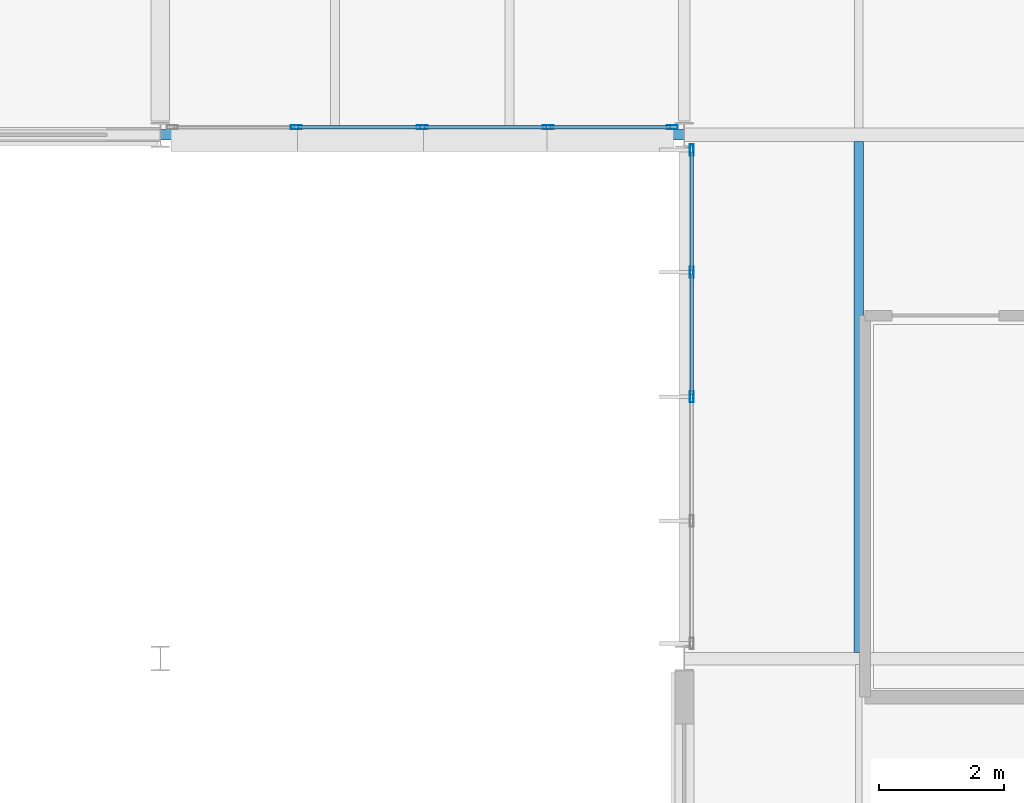
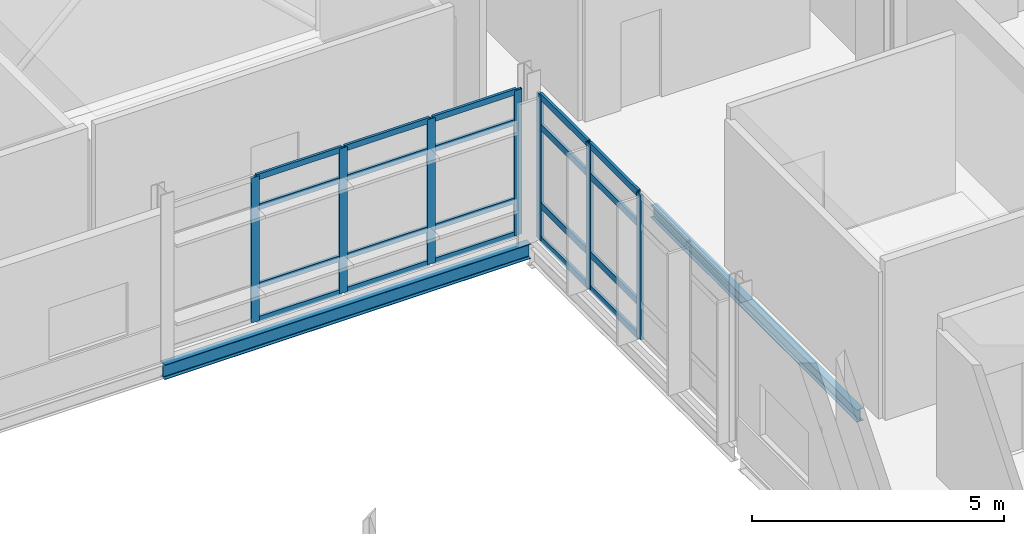
# One storey, part 40 of 66: 27 members, 2 beams, 2 elements without a shape of their own.
"""IFC4 building model written with IfcOpenShell, lengths in metres."""

from ifc_helpers import new_model, si_unit, direction, frame, origin, origin_2d, place, context, subcontext, project, spatial, hollow_rectangle, i_section, extrude, material, material_profile, profile_set, type_object, element, aggregate, save


model = new_model("IFC4")

# Units and contexts
model_context = context("Model", 3, precision=1e-05, world=origin(), true_north=direction((0.0, 1.0)))
body_context = subcontext(model_context, "Body", "Model", "MODEL_VIEW")
ifc_project = project(units=[si_unit("LENGTHUNIT", "METRE"), si_unit("AREAUNIT", "SQUARE_METRE"), si_unit("VOLUMEUNIT", "CUBIC_METRE"), si_unit("PLANEANGLEUNIT", "RADIAN"), si_unit("MASSUNIT", "GRAM", prefix="KILO")], contexts=[model_context])

# Site, building, storey
site_placement = place(None, origin())
site = spatial("IfcSite", under=ifc_project, at=site_placement, CompositionType="ELEMENT")
building_placement = place(site_placement, origin())
building = spatial("IfcBuilding", under=site, at=building_placement, Name="Mersafa Astral City Hall", CompositionType="ELEMENT")
storey_placement = place(building_placement, frame((0.0, 0.0, 22.050048828125)))
storey = spatial("IfcBuildingStorey", under=building, at=storey_placement, Name="L05", CompositionType="ELEMENT", Elevation=22.050048828125)

# Curtain wall, members
ifc_material_1 = material(Name="Anodised bronze aluminium framing", Category="aluminium")
curtain_wall_type_1 = type_object("IfcCurtainWallType", Name="ENV-CW-2", PredefinedType="USERDEFINED", material=ifc_material_1)
curtain_wall_1_placement = place(storey_placement, origin())
curtain_wall_1 = element("IfcCurtainWall", 1, at=curtain_wall_1_placement, inside=storey, type_object=curtain_wall_type_1, Name="L05 Unitised solar curtain wall 241", ObjectType="UNITISED CURTAIN WALL", PredefinedType="USERDEFINED")
ifc_material_profile_1 = material_profile(ifc_material_1, hollow_rectangle(XDim=0.06005859375, YDim=0.179931640625, WallThickness=0.00390625, at=origin_2d()), Name="RHS 60x180x4")
ifc_profile_set_1 = profile_set([ifc_material_profile_1], Name="Anodised bronze aluminium framing")
member_type_1 = type_object("IfcMemberType", Name="ENV-CW-MUL-1", PredefinedType="MULLION", material=ifc_profile_set_1)
member_1_placement = place(storey_placement, frame((136.5810546875, 117.719970703125, -0.001953125), z_axis=(0.0, 0.0, 1.0), x_axis=(0.0, 1.0, 0.0)))
member_1 = element("IfcMember", 2, at=member_1_placement, type_object=member_type_1, Name="CW-2 mullion 2", PredefinedType="MULLION", context=body_context, shape_type="SweptSolid", body=[
    extrude(hollow_rectangle(XDim=0.06005859375, YDim=0.179931640625, WallThickness=0.00390625, at=origin_2d()), origin(), (0.0, 0.0, 1.0), 3.513916015625),
])
member_2_placement = place(storey_placement, frame((138.60009765625, 117.719970703125, -0.001953125), z_axis=(0.0, 0.0, 1.0), x_axis=(0.0, 1.0, 0.0)))
member_2 = element("IfcMember", 3, at=member_2_placement, type_object=member_type_1, Name="CW-2 mullion 3", PredefinedType="MULLION", context=body_context, shape_type="SweptSolid", body=[
    extrude(hollow_rectangle(XDim=0.06005859375, YDim=0.179931640625, WallThickness=0.00390625, at=origin_2d()), origin(), (0.0, 0.0, 1.0), 3.513916015625),
])
member_3_placement = place(storey_placement, frame((140.618896484375, 117.719970703125, -0.001953125), z_axis=(0.0, 0.0, 1.0), x_axis=(0.0, 1.0, 0.0)))
member_3 = element("IfcMember", 4, at=member_3_placement, type_object=member_type_1, Name="CW-2 mullion 4", PredefinedType="MULLION", context=body_context, shape_type="SweptSolid", body=[
    extrude(hollow_rectangle(XDim=0.06005859375, YDim=0.179931640625, WallThickness=0.00390625, at=origin_2d()), origin(), (0.0, 0.0, 1.0), 3.513916015625),
])
member_4_placement = place(storey_placement, frame((142.60791015625, 117.719970703125, -0.001953125), z_axis=(0.0, 0.0, 1.0), x_axis=(0.0, 1.0, 0.0)))
member_4 = element("IfcMember", 5, at=member_4_placement, type_object=member_type_1, Name="CW-2 mullion 5", PredefinedType="MULLION", context=body_context, shape_type="SweptSolid", body=[
    extrude(hollow_rectangle(XDim=0.06005859375, YDim=0.179931640625, WallThickness=0.00390625, at=origin_2d()), origin(), (0.0, 0.0, 1.0), 3.513916015625),
])

curtain_wall_type_2 = type_object("IfcCurtainWallType", Name="ENV-CW-3", PredefinedType="USERDEFINED", material=ifc_material_1)
curtain_wall_2_placement = place(storey_placement, origin())
curtain_wall_2 = element("IfcCurtainWall", 6, at=curtain_wall_2_placement, inside=storey, type_object=curtain_wall_type_2, Name="L05 Unitised solar curtain wall 242", ObjectType="UNITISED CURTAIN WALL", PredefinedType="USERDEFINED")
member_5_placement = place(storey_placement, frame((142.919921875, 117.35791015625, -0.001953125), z_axis=(0.0, 0.0, 1.0), x_axis=(1.0, 0.0, 0.0)))
member_5 = element("IfcMember", 7, at=member_5_placement, type_object=member_type_1, Name="CW-3 mullion 1", PredefinedType="MULLION", context=body_context, shape_type="SweptSolid", body=[
    extrude(hollow_rectangle(XDim=0.06005859375, YDim=0.179931640625, WallThickness=0.00390625, at=origin_2d()), origin(), (0.0, 0.0, 1.0), 3.513916015625),
])
member_6_placement = place(storey_placement, frame((142.919921875, 115.39404296875, -0.001953125), z_axis=(0.0, 0.0, 1.0), x_axis=(1.0, 0.0, 0.0)))
member_6 = element("IfcMember", 8, at=member_6_placement, type_object=member_type_1, Name="CW-3 mullion 2", PredefinedType="MULLION", context=body_context, shape_type="SweptSolid", body=[
    extrude(hollow_rectangle(XDim=0.06005859375, YDim=0.179931640625, WallThickness=0.00390625, at=origin_2d()), origin(), (0.0, 0.0, 1.0), 3.513916015625),
])
member_7_placement = place(storey_placement, frame((142.919921875, 113.39990234375, -0.001953125), z_axis=(0.0, 0.0, 1.0), x_axis=(1.0, 0.0, 0.0)))
member_7 = element("IfcMember", 9, at=member_7_placement, type_object=member_type_1, Name="CW-3 mullion 3", PredefinedType="MULLION", context=body_context, shape_type="SweptSolid", body=[
    extrude(hollow_rectangle(XDim=0.06005859375, YDim=0.179931640625, WallThickness=0.00390625, at=origin_2d()), origin(), (0.0, 0.0, 1.0), 3.513916015625),
])

# Member
ifc_material_profile_2 = material_profile(ifc_material_1, hollow_rectangle(XDim=0.06005859375, YDim=0.139892578125, WallThickness=0.00390625, at=origin_2d()), Name="RHS 60x140x4")
ifc_profile_set_2 = profile_set([ifc_material_profile_2], Name="Anodised bronze aluminium framing")
member_type_2 = type_object("IfcMemberType", Name="ENV-CW-TRN-1", PredefinedType="USERDEFINED", material=ifc_profile_set_2)
member_8_placement = place(storey_placement, frame((136.611083984375, 117.719970703125, 0.02783203125), z_axis=(1.0, 0.0, 0.0), x_axis=(0.0, 1.0, 0.0)))
member_8 = element("IfcMember", 10, at=member_8_placement, type_object=member_type_2, Name="CW-2 transom 2.1", ObjectType="TRANSOM", PredefinedType="USERDEFINED", context=body_context, shape_type="SweptSolid", body=[
    extrude(hollow_rectangle(XDim=0.06005859375, YDim=0.139892578125, WallThickness=0.00390625, at=origin_2d()), origin(), (0.0, 0.0, 1.0), 1.958984375),
])

member_9_placement = place(storey_placement, frame((136.611083984375, 117.719970703125, 0.849853515625), z_axis=(1.0, 0.0, 0.0), x_axis=(0.0, 1.0, 0.0)))
member_9 = element("IfcMember", 11, at=member_9_placement, type_object=member_type_2, Name="CW-2 transom 2.2", ObjectType="TRANSOM", PredefinedType="USERDEFINED", context=body_context, shape_type="SweptSolid", body=[
    extrude(hollow_rectangle(XDim=0.06005859375, YDim=0.139892578125, WallThickness=0.00390625, at=origin_2d()), origin(), (0.0, 0.0, 1.0), 1.958984375),
])

member_10_placement = place(storey_placement, frame((136.611083984375, 117.719970703125, 2.75), z_axis=(1.0, 0.0, 0.0), x_axis=(0.0, 1.0, 0.0)))
member_10 = element("IfcMember", 12, at=member_10_placement, type_object=member_type_2, Name="CW-2 transom 2.3", ObjectType="TRANSOM", PredefinedType="USERDEFINED", context=body_context, shape_type="SweptSolid", body=[
    extrude(hollow_rectangle(XDim=0.06005859375, YDim=0.139892578125, WallThickness=0.00390625, at=origin_2d()), origin(), (0.0, 0.0, 1.0), 1.958984375),
])

member_11_placement = place(storey_placement, frame((136.611083984375, 117.719970703125, 3.48193359375), z_axis=(1.0, 0.0, 0.0), x_axis=(0.0, 1.0, 0.0)))
member_11 = element("IfcMember", 13, at=member_11_placement, type_object=member_type_2, Name="CW-2 transom 2.4", ObjectType="TRANSOM", PredefinedType="USERDEFINED", context=body_context, shape_type="SweptSolid", body=[
    extrude(hollow_rectangle(XDim=0.06005859375, YDim=0.139892578125, WallThickness=0.00390625, at=origin_2d()), origin(), (0.0, 0.0, 1.0), 1.958984375),
])

member_12_placement = place(storey_placement, frame((138.6298828125, 117.719970703125, 0.02783203125), z_axis=(1.0, 0.0, 0.0), x_axis=(0.0, 1.0, 0.0)))
member_12 = element("IfcMember", 14, at=member_12_placement, type_object=member_type_2, Name="CW-2 transom 3.1", ObjectType="TRANSOM", PredefinedType="USERDEFINED", context=body_context, shape_type="SweptSolid", body=[
    extrude(hollow_rectangle(XDim=0.06005859375, YDim=0.139892578125, WallThickness=0.00390625, at=origin_2d()), origin(), (0.0, 0.0, 1.0), 1.959228515625),
])

member_13_placement = place(storey_placement, frame((138.6298828125, 117.719970703125, 0.849853515625), z_axis=(1.0, 0.0, 0.0), x_axis=(0.0, 1.0, 0.0)))
member_13 = element("IfcMember", 15, at=member_13_placement, type_object=member_type_2, Name="CW-2 transom 3.2", ObjectType="TRANSOM", PredefinedType="USERDEFINED", context=body_context, shape_type="SweptSolid", body=[
    extrude(hollow_rectangle(XDim=0.06005859375, YDim=0.139892578125, WallThickness=0.00390625, at=origin_2d()), origin(), (0.0, 0.0, 1.0), 1.959228515625),
])

member_14_placement = place(storey_placement, frame((138.6298828125, 117.719970703125, 2.75), z_axis=(1.0, 0.0, 0.0), x_axis=(0.0, 1.0, 0.0)))
member_14 = element("IfcMember", 16, at=member_14_placement, type_object=member_type_2, Name="CW-2 transom 3.3", ObjectType="TRANSOM", PredefinedType="USERDEFINED", context=body_context, shape_type="SweptSolid", body=[
    extrude(hollow_rectangle(XDim=0.06005859375, YDim=0.139892578125, WallThickness=0.00390625, at=origin_2d()), origin(), (0.0, 0.0, 1.0), 1.959228515625),
])

member_15_placement = place(storey_placement, frame((138.6298828125, 117.719970703125, 3.48193359375), z_axis=(1.0, 0.0, 0.0), x_axis=(0.0, 1.0, 0.0)))
member_15 = element("IfcMember", 17, at=member_15_placement, type_object=member_type_2, Name="CW-2 transom 3.4", ObjectType="TRANSOM", PredefinedType="USERDEFINED", context=body_context, shape_type="SweptSolid", body=[
    extrude(hollow_rectangle(XDim=0.06005859375, YDim=0.139892578125, WallThickness=0.00390625, at=origin_2d()), origin(), (0.0, 0.0, 1.0), 1.959228515625),
])

member_16_placement = place(storey_placement, frame((140.64892578125, 117.719970703125, 0.02783203125), z_axis=(1.0, 0.0, 0.0), x_axis=(0.0, 1.0, 0.0)))
member_16 = element("IfcMember", 18, at=member_16_placement, type_object=member_type_2, Name="CW-2 transom 4.1", ObjectType="TRANSOM", PredefinedType="USERDEFINED", context=body_context, shape_type="SweptSolid", body=[
    extrude(hollow_rectangle(XDim=0.06005859375, YDim=0.139892578125, WallThickness=0.00390625, at=origin_2d()), origin(), (0.0, 0.0, 1.0), 1.928955078125),
])

member_17_placement = place(storey_placement, frame((140.64892578125, 117.719970703125, 0.849853515625), z_axis=(1.0, 0.0, 0.0), x_axis=(0.0, 1.0, 0.0)))
member_17 = element("IfcMember", 19, at=member_17_placement, type_object=member_type_2, Name="CW-2 transom 4.2", ObjectType="TRANSOM", PredefinedType="USERDEFINED", context=body_context, shape_type="SweptSolid", body=[
    extrude(hollow_rectangle(XDim=0.06005859375, YDim=0.139892578125, WallThickness=0.00390625, at=origin_2d()), origin(), (0.0, 0.0, 1.0), 1.928955078125),
])

member_18_placement = place(storey_placement, frame((140.64892578125, 117.719970703125, 2.75), z_axis=(1.0, 0.0, 0.0), x_axis=(0.0, 1.0, 0.0)))
member_18 = element("IfcMember", 20, at=member_18_placement, type_object=member_type_2, Name="CW-2 transom 4.3", ObjectType="TRANSOM", PredefinedType="USERDEFINED", context=body_context, shape_type="SweptSolid", body=[
    extrude(hollow_rectangle(XDim=0.06005859375, YDim=0.139892578125, WallThickness=0.00390625, at=origin_2d()), origin(), (0.0, 0.0, 1.0), 1.928955078125),
])

member_19_placement = place(storey_placement, frame((140.64892578125, 117.719970703125, 3.48193359375), z_axis=(1.0, 0.0, 0.0), x_axis=(0.0, 1.0, 0.0)))
member_19 = element("IfcMember", 21, at=member_19_placement, type_object=member_type_2, Name="CW-2 transom 4.4", ObjectType="TRANSOM", PredefinedType="USERDEFINED", context=body_context, shape_type="SweptSolid", body=[
    extrude(hollow_rectangle(XDim=0.06005859375, YDim=0.139892578125, WallThickness=0.00390625, at=origin_2d()), origin(), (0.0, 0.0, 1.0), 1.928955078125),
])

aggregate(curtain_wall_1, [member_1, member_2, member_3, member_4, member_8, member_9, member_10, member_11, member_12, member_13, member_14, member_15, member_16, member_17, member_18, member_19])

ifc_material_profile_3 = material_profile(ifc_material_1, hollow_rectangle(XDim=0.06005859375, YDim=0.159912109375, WallThickness=0.00390625, at=origin_2d()), Name="RHS 60x160x4")
ifc_profile_set_3 = profile_set([ifc_material_profile_3], Name="Anodised bronze aluminium framing")
member_type_3 = type_object("IfcMemberType", Name="ENV-CW-TRN-2", PredefinedType="USERDEFINED", material=ifc_profile_set_3)
member_20_placement = place(storey_placement, frame((142.919921875, 117.327880859375, 0.02783203125), z_axis=(0.0, -1.0, 0.0), x_axis=(1.0, 0.0, 0.0)))
member_20 = element("IfcMember", 22, at=member_20_placement, type_object=member_type_3, Name="CW-3 transom 1.1", ObjectType="TRANSOM", PredefinedType="USERDEFINED", context=body_context, shape_type="SweptSolid", body=[
    extrude(hollow_rectangle(XDim=0.06005859375, YDim=0.159912109375, WallThickness=0.00390625, at=origin_2d()), origin(), (0.0, 0.0, 1.0), 1.90380859375),
])

member_21_placement = place(storey_placement, frame((142.919921875, 117.327880859375, 0.849853515625), z_axis=(0.0, -1.0, 0.0), x_axis=(1.0, 0.0, 0.0)))
member_21 = element("IfcMember", 23, at=member_21_placement, type_object=member_type_3, Name="CW-3 transom 1.2", ObjectType="TRANSOM", PredefinedType="USERDEFINED", context=body_context, shape_type="SweptSolid", body=[
    extrude(hollow_rectangle(XDim=0.06005859375, YDim=0.159912109375, WallThickness=0.00390625, at=origin_2d()), origin(), (0.0, 0.0, 1.0), 1.90380859375),
])

member_22_placement = place(storey_placement, frame((142.919921875, 117.327880859375, 2.75), z_axis=(0.0, -1.0, 0.0), x_axis=(1.0, 0.0, 0.0)))
member_22 = element("IfcMember", 24, at=member_22_placement, type_object=member_type_3, Name="CW-3 transom 1.3", ObjectType="TRANSOM", PredefinedType="USERDEFINED", context=body_context, shape_type="SweptSolid", body=[
    extrude(hollow_rectangle(XDim=0.06005859375, YDim=0.159912109375, WallThickness=0.00390625, at=origin_2d()), origin(), (0.0, 0.0, 1.0), 1.90380859375),
])

member_23_placement = place(storey_placement, frame((142.919921875, 117.327880859375, 3.48193359375), z_axis=(0.0, -1.0, 0.0), x_axis=(1.0, 0.0, 0.0)))
member_23 = element("IfcMember", 25, at=member_23_placement, type_object=member_type_3, Name="CW-3 transom 1.4", ObjectType="TRANSOM", PredefinedType="USERDEFINED", context=body_context, shape_type="SweptSolid", body=[
    extrude(hollow_rectangle(XDim=0.06005859375, YDim=0.159912109375, WallThickness=0.00390625, at=origin_2d()), origin(), (0.0, 0.0, 1.0), 1.90380859375),
])

member_24_placement = place(storey_placement, frame((142.919921875, 115.364013671875, 0.02783203125), z_axis=(0.0, -1.0, 0.0), x_axis=(1.0, 0.0, 0.0)))
member_24 = element("IfcMember", 26, at=member_24_placement, type_object=member_type_3, Name="CW-3 transom 2.1", ObjectType="TRANSOM", PredefinedType="USERDEFINED", context=body_context, shape_type="SweptSolid", body=[
    extrude(hollow_rectangle(XDim=0.06005859375, YDim=0.159912109375, WallThickness=0.00390625, at=origin_2d()), origin(), (0.0, 0.0, 1.0), 1.93408203125),
])

member_25_placement = place(storey_placement, frame((142.919921875, 115.364013671875, 0.849853515625), z_axis=(0.0, -1.0, 0.0), x_axis=(1.0, 0.0, 0.0)))
member_25 = element("IfcMember", 27, at=member_25_placement, type_object=member_type_3, Name="CW-3 transom 2.2", ObjectType="TRANSOM", PredefinedType="USERDEFINED", context=body_context, shape_type="SweptSolid", body=[
    extrude(hollow_rectangle(XDim=0.06005859375, YDim=0.159912109375, WallThickness=0.00390625, at=origin_2d()), origin(), (0.0, 0.0, 1.0), 1.93408203125),
])

member_26_placement = place(storey_placement, frame((142.919921875, 115.364013671875, 2.75), z_axis=(0.0, -1.0, 0.0), x_axis=(1.0, 0.0, 0.0)))
member_26 = element("IfcMember", 28, at=member_26_placement, type_object=member_type_3, Name="CW-3 transom 2.3", ObjectType="TRANSOM", PredefinedType="USERDEFINED", context=body_context, shape_type="SweptSolid", body=[
    extrude(hollow_rectangle(XDim=0.06005859375, YDim=0.159912109375, WallThickness=0.00390625, at=origin_2d()), origin(), (0.0, 0.0, 1.0), 1.93408203125),
])

member_27_placement = place(storey_placement, frame((142.919921875, 115.364013671875, 3.48193359375), z_axis=(0.0, -1.0, 0.0), x_axis=(1.0, 0.0, 0.0)))
member_27 = element("IfcMember", 29, at=member_27_placement, type_object=member_type_3, Name="CW-3 transom 2.4", ObjectType="TRANSOM", PredefinedType="USERDEFINED", context=body_context, shape_type="SweptSolid", body=[
    extrude(hollow_rectangle(XDim=0.06005859375, YDim=0.159912109375, WallThickness=0.00390625, at=origin_2d()), origin(), (0.0, 0.0, 1.0), 1.93408203125),
])

aggregate(curtain_wall_2, [member_5, member_6, member_7, member_20, member_21, member_22, member_23, member_24, member_25, member_26, member_27])

# Beams
ifc_material_2 = material(Name="Steel S355", Category="steel")
ifc_material_profile_4 = material_profile(ifc_material_2, i_section(OverallWidth=0.14990234375, OverallDepth=0.300048828125, WebThickness=0.007080078125, FlangeThickness=0.0107421875, FilletRadius=0.014892578125, at=origin_2d()), Name="IPE 300")
ifc_profile_set_4 = profile_set([ifc_material_profile_4], Name="Steel S355")
beam_type_1 = type_object("IfcBeamType", Name="STR-BM-JOIST-IPE300", PredefinedType="JOIST", material=ifc_profile_set_4)
beam_1_placement = place(storey_placement, frame((145.60009765625, 109.294921875, -0.330078125), z_axis=(0.0, 1.0, 0.0), x_axis=(-1.0, 0.0, 0.0)))
element("IfcBeam", 30, at=beam_1_placement, inside=storey, type_object=beam_type_1, Name="L05 Composite secondary floor joist 811", PredefinedType="JOIST", context=body_context, shape_type="SweptSolid", body=[
    extrude(i_section(OverallWidth=0.14990234375, OverallDepth=0.300048828125, WebThickness=0.007080078125, FlangeThickness=0.0107421875, FilletRadius=0.014892578125, at=origin_2d()), origin(), (0.0, 0.0, 1.0), 8.2001953125),
])
ifc_material_profile_5 = material_profile(ifc_material_2, i_section(OverallWidth=0.169921875, OverallDepth=0.360107421875, WebThickness=0.008056640625, FlangeThickness=0.0126953125, FilletRadius=0.01806640625, at=origin_2d()), Name="IPE 360")
ifc_profile_set_5 = profile_set([ifc_material_profile_5], Name="Steel S355")
beam_type_2 = type_object("IfcBeamType", Name="STR-BM-SPANDREL-IPE360", PredefinedType="SPANDREL", material=ifc_profile_set_5)
beam_2_placement = place(storey_placement, frame((134.403076171875, 117.60009765625, -0.360107421875), z_axis=(1.0, 0.0, 0.0), x_axis=(0.0, 1.0, 0.0)))
element("IfcBeam", 31, at=beam_2_placement, inside=storey, type_object=beam_type_2, Name="L05 Primary girder X 16-14", PredefinedType="SPANDREL", context=body_context, shape_type="SweptSolid", body=[
    extrude(i_section(OverallWidth=0.169921875, OverallDepth=0.360107421875, WebThickness=0.008056640625, FlangeThickness=0.0126953125, FilletRadius=0.01806640625, at=origin_2d()), origin(), (0.0, 0.0, 1.0), 8.39404296875),
])

save(model, "model.ifc")
